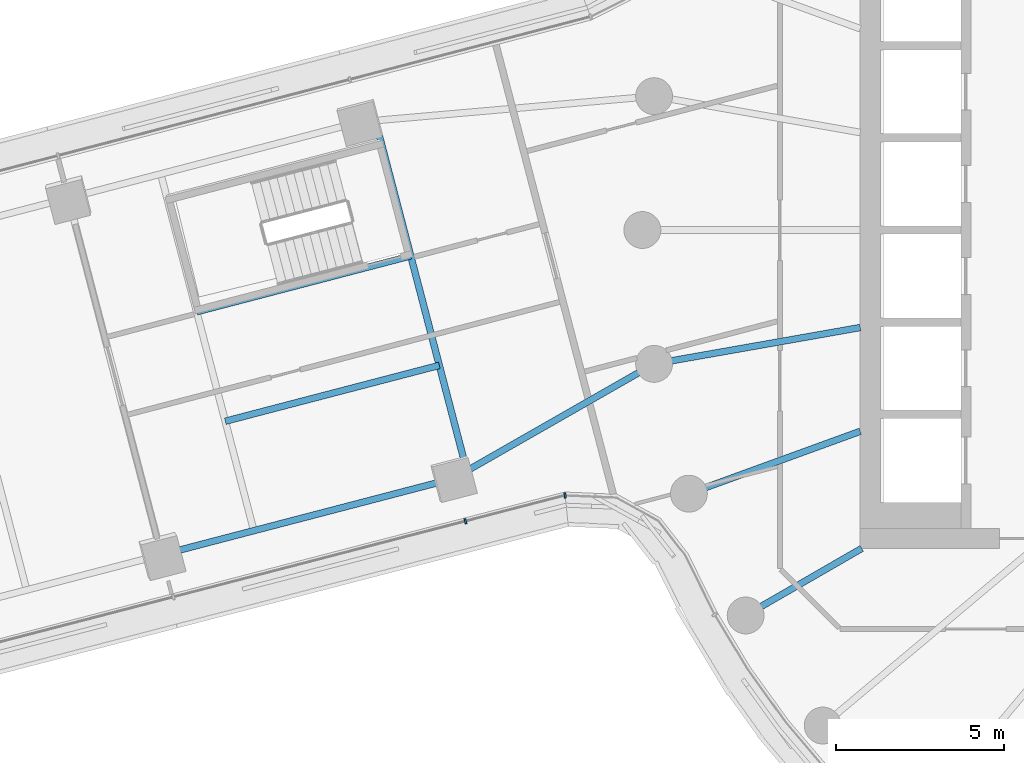
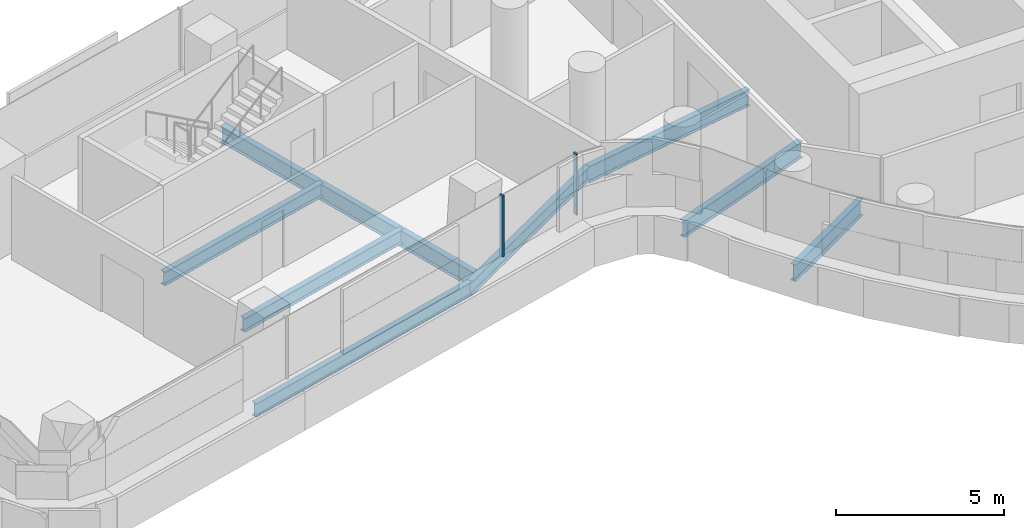
# One storey, part 5 of 30: 8 beams, 2 members, 2 elements without a shape of their own.
"""IFC4 building model written with IfcOpenShell, lengths in metres."""

from ifc_helpers import new_model, si_unit, direction, frame, origin, origin_2d, place, context, subcontext, project, spatial, rectangle, i_section, extrude, material, layer, layer_set, material_profile, profile_set, type_object, element, aggregate, save


model = new_model("IFC4")

# Units and contexts
model_context = context("Model", 3, precision=1e-05, world=origin(), true_north=direction((0.0, 1.0)))
body_context = subcontext(model_context, "Body", "Model", "MODEL_VIEW")
ifc_project = project(units=[si_unit("LENGTHUNIT", "METRE"), si_unit("AREAUNIT", "SQUARE_METRE"), si_unit("VOLUMEUNIT", "CUBIC_METRE"), si_unit("PLANEANGLEUNIT", "RADIAN"), si_unit("MASSUNIT", "GRAM", prefix="KILO")], contexts=[model_context])

# Site, building, storey
site_placement = place(None, origin())
site = spatial("IfcSite", under=ifc_project, at=site_placement, CompositionType="ELEMENT")
building_placement = place(site_placement, origin())
building = spatial("IfcBuilding", under=site, at=building_placement, Name="Tamarind Cross Interchange Tower", CompositionType="ELEMENT")
storey_placement = place(building_placement, frame((0.0, 0.0, 87.25)))
storey = spatial("IfcBuildingStorey", under=building, at=storey_placement, Name="L20", CompositionType="ELEMENT", Elevation=87.25)

# Beams
ifc_material_1 = material(Name="Steel Q355B", Category="steel")
ifc_material_profile_1 = material_profile(ifc_material_1, i_section(OverallWidth=0.198974609375, OverallDepth=0.49609375, WebThickness=0.009033203125, FlangeThickness=0.013916015625, FilletRadius=0.012939453125, at=origin_2d()), Name="HN 496x199x9x14")
ifc_profile_set_1 = profile_set([ifc_material_profile_1], Name="Steel Q355B")
beam_type_1 = type_object("IfcBeamType", Name="Composite beam HN 496x199x9x14 Q355B", PredefinedType="BEAM", material=ifc_profile_set_1)
beam_1_placement = place(storey_placement, frame((-37.350341796875, -9.6904296875, -0.387939453125), z_axis=(0.967590476102, 0.252524593962, 0.0), x_axis=(-0.252524593962, 0.967590476102, 0.0)))
element("IfcBeam", 1, at=beam_1_placement, inside=storey, type_object=beam_type_1, Name="Beam W-edgeep3", PredefinedType="BEAM", context=body_context, shape_type="SweptSolid", body=[
    extrude(i_section(OverallWidth=0.198974609375, OverallDepth=0.49609375, WebThickness=0.009033203125, FlangeThickness=0.013916015625, FilletRadius=0.012939453125, at=origin_2d()), origin(), (0.0, 0.0, 1.0), 9.0),
])
beam_2_placement = place(storey_placement, frame((-28.64208984375, -7.417724609375, -0.387939453125), z_axis=(0.86823443333, 0.496154178437, 0.0), x_axis=(-0.496154178437, 0.86823443333, 0.0)))
element("IfcBeam", 2, at=beam_2_placement, inside=storey, type_object=beam_type_1, Name="Beam W-linkep", PredefinedType="BEAM", context=body_context, shape_type="SweptSolid", body=[
    extrude(i_section(OverallWidth=0.198974609375, OverallDepth=0.49609375, WebThickness=0.009033203125, FlangeThickness=0.013916015625, FilletRadius=0.012939453125, at=origin_2d()), origin(), (0.0, 0.0, 1.0), 6.900634765625),
])
for number, where, z_axis, x_axis, name in (
    (3, (-29.9111328125, -0.77294921875, -0.387939453125), (-0.967597628492, -0.252497186791, 0.0), (0.252497186791, -0.967597628492, 0.0), "Beam W-tr1"),
    (4, (-29.058837890625, -4.03857421875, -0.387939453125), (-0.967597628492, -0.252497186791, 0.0), (0.252497186791, -0.967597628492, 0.0), "Beam W-stripp"),
):
    element("IfcBeam", number, at=place(storey_placement, frame(where, z_axis=z_axis, x_axis=x_axis)), inside=storey, type_object=beam_type_1, Name=name, PredefinedType="BEAM", context=body_context, shape_type="SweptSolid", body=[
        extrude(i_section(OverallWidth=0.198974609375, OverallDepth=0.49609375, WebThickness=0.009033203125, FlangeThickness=0.013916015625, FilletRadius=0.012939453125, at=origin_2d()), origin(), (0.0, 0.0, 1.0), 6.60009765625),
    ])
ifc_material_profile_2 = material_profile(ifc_material_1, i_section(OverallWidth=0.198974609375, OverallDepth=0.595947265625, WebThickness=0.010009765625, FlangeThickness=0.014892578125, FilletRadius=0.012939453125, at=origin_2d()), Name="HN 596x199x10x15")
ifc_profile_set_2 = profile_set([ifc_material_profile_2], Name="Steel Q355B")
beam_type_2 = type_object("IfcBeamType", Name="Composite beam HN 596x199x10x15 Q355B", PredefinedType="BEAM", material=ifc_profile_set_2)
beam_3_placement = place(storey_placement, frame((-22.650634765625, -3.993896484375, -0.43798828125), z_axis=(0.984809127561, 0.173640382036, 0.0), x_axis=(-0.173640382036, 0.984809127561, 0.0)))
element("IfcBeam", 5, at=beam_3_placement, inside=storey, type_object=beam_type_2, Name="Beam HH19", PredefinedType="BEAM", context=body_context, shape_type="SweptSolid", body=[
    extrude(i_section(OverallWidth=0.198974609375, OverallDepth=0.595947265625, WebThickness=0.010009765625, FlangeThickness=0.014892578125, FilletRadius=0.012939453125, at=origin_2d()), origin(), (0.0, 0.0, 1.0), 6.24560546875),
])
beam_4_placement = place(storey_placement, frame((-21.613037109375, -7.866455078125, -0.43798828125), z_axis=(0.939701685589, 0.341995236956, 0.0), x_axis=(-0.341995236956, 0.939701685589, 0.0)))
element("IfcBeam", 6, at=beam_4_placement, inside=storey, type_object=beam_type_2, Name="Beam HH20", PredefinedType="BEAM", context=body_context, shape_type="SweptSolid", body=[
    extrude(i_section(OverallWidth=0.198974609375, OverallDepth=0.595947265625, WebThickness=0.010009765625, FlangeThickness=0.014892578125, FilletRadius=0.012939453125, at=origin_2d()), origin(), (0.0, 0.0, 1.0), 5.441162109375),
])
beam_5_placement = place(storey_placement, frame((-19.918701171875, -11.5, -0.43798828125), z_axis=(0.866026010844, 0.49999894854, 0.0), x_axis=(-0.49999894854, 0.866026010844, 0.0)))
element("IfcBeam", 7, at=beam_5_placement, inside=storey, type_object=beam_type_2, Name="Beam HH21", PredefinedType="BEAM", context=body_context, shape_type="SweptSolid", body=[
    extrude(i_section(OverallWidth=0.198974609375, OverallDepth=0.595947265625, WebThickness=0.010009765625, FlangeThickness=0.014892578125, FilletRadius=0.012939453125, at=origin_2d()), origin(), (0.0, 0.0, 1.0), 4.0),
])
ifc_material_profile_3 = material_profile(ifc_material_1, i_section(OverallWidth=0.199951171875, OverallDepth=0.60009765625, WebThickness=0.010986328125, FlangeThickness=0.01708984375, FilletRadius=0.012939453125, at=origin_2d()), Name="HN 600x200x11x17")
ifc_profile_set_3 = profile_set([ifc_material_profile_3], Name="Steel Q355B")
beam_type_3 = type_object("IfcBeamType", Name="Composite beam HN 600x200x11x17 Q355B", PredefinedType="BEAM", material=ifc_profile_set_3)
beam_6_placement = place(storey_placement, frame((-30.96533203125, 3.265625, -0.43994140625), z_axis=(0.252541499528, -0.967586063881, 0.0), x_axis=(0.967586063881, 0.252541499528, 0.0)))
element("IfcBeam", 8, at=beam_6_placement, inside=storey, type_object=beam_type_3, Name="Beam W-x298", PredefinedType="BEAM", context=body_context, shape_type="SweptSolid", body=[
    extrude(i_section(OverallWidth=0.199951171875, OverallDepth=0.60009765625, WebThickness=0.010986328125, FlangeThickness=0.01708984375, FilletRadius=0.012939453125, at=origin_2d()), origin(), (0.0, 0.0, 1.0), 10.80224609375),
])

# Curtain wall, member
ifc_material_2 = material(Name="Aluminium 6063-T6", Category="aluminium")
ifc_layer = layer(ifc_material_2, 0.159912109375)
ifc_layer_set = layer_set([ifc_layer], Name="Aluminium 6063-T6")
curtain_wall_type = type_object("IfcCurtainWallType", Name="Office curtain wall, 9.0 m bays", PredefinedType="NOTDEFINED", material=ifc_layer_set)
curtain_wall_1_placement = place(storey_placement, origin())
curtain_wall_1 = element("IfcCurtainWall", 9, at=curtain_wall_1_placement, inside=storey, type_object=curtain_wall_type, Name="CWS-L20-05", PredefinedType="NOTDEFINED")
ifc_material_profile_4 = material_profile(ifc_material_2, rectangle(XDim=0.06005859375, YDim=0.159912109375, at=origin_2d()), Name="Mullion CW1")
ifc_profile_set_4 = profile_set([ifc_material_profile_4], Name="Aluminium 6063-T6")
member_type = type_object("IfcMemberType", Name="Mullion CW1", PredefinedType="MULLION", material=ifc_profile_set_4)
member_1_placement = place(storey_placement, frame((-28.279541015625, -8.689453125, 1.39990234375), z_axis=(0.0, 0.0, 1.0), x_axis=(0.967917811763, 0.251267008723, 0.0)))
member_1 = element("IfcMember", 10, at=member_1_placement, type_object=member_type, Name="CWM-L20-05-02", PredefinedType="MULLION", context=body_context, shape_type="SweptSolid", body=[
    extrude(rectangle(XDim=0.06005859375, YDim=0.159912109375, at=origin_2d()), origin(), (0.0, 0.0, 1.0), 2.210205078125),
])
aggregate(curtain_wall_1, [member_1])

curtain_wall_2_placement = place(storey_placement, origin())
curtain_wall_2 = element("IfcCurtainWall", 11, at=curtain_wall_2_placement, inside=storey, type_object=curtain_wall_type, Name="CWS-L20-06", PredefinedType="NOTDEFINED")
member_2_placement = place(storey_placement, frame((-25.305908203125, -7.91748046875, 1.39990234375), z_axis=(0.0, 0.0, 1.0), x_axis=(0.994439840587, 0.105306236533, 0.0)))
member_2 = element("IfcMember", 12, at=member_2_placement, type_object=member_type, Name="CWM-L20-06-00", PredefinedType="MULLION", context=body_context, shape_type="SweptSolid", body=[
    extrude(rectangle(XDim=0.06005859375, YDim=0.159912109375, at=origin_2d()), origin(), (0.0, 0.0, 1.0), 2.210205078125),
])
aggregate(curtain_wall_2, [member_2])

save(model, "model.ifc")
